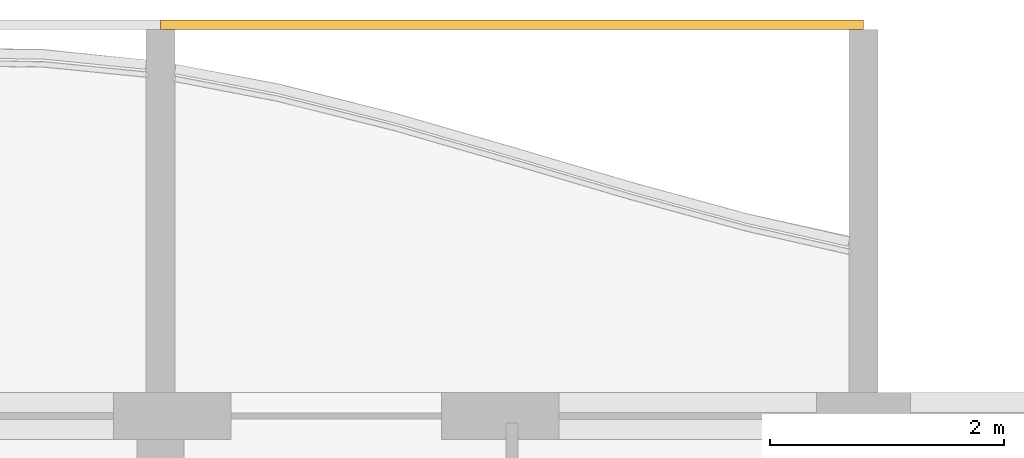
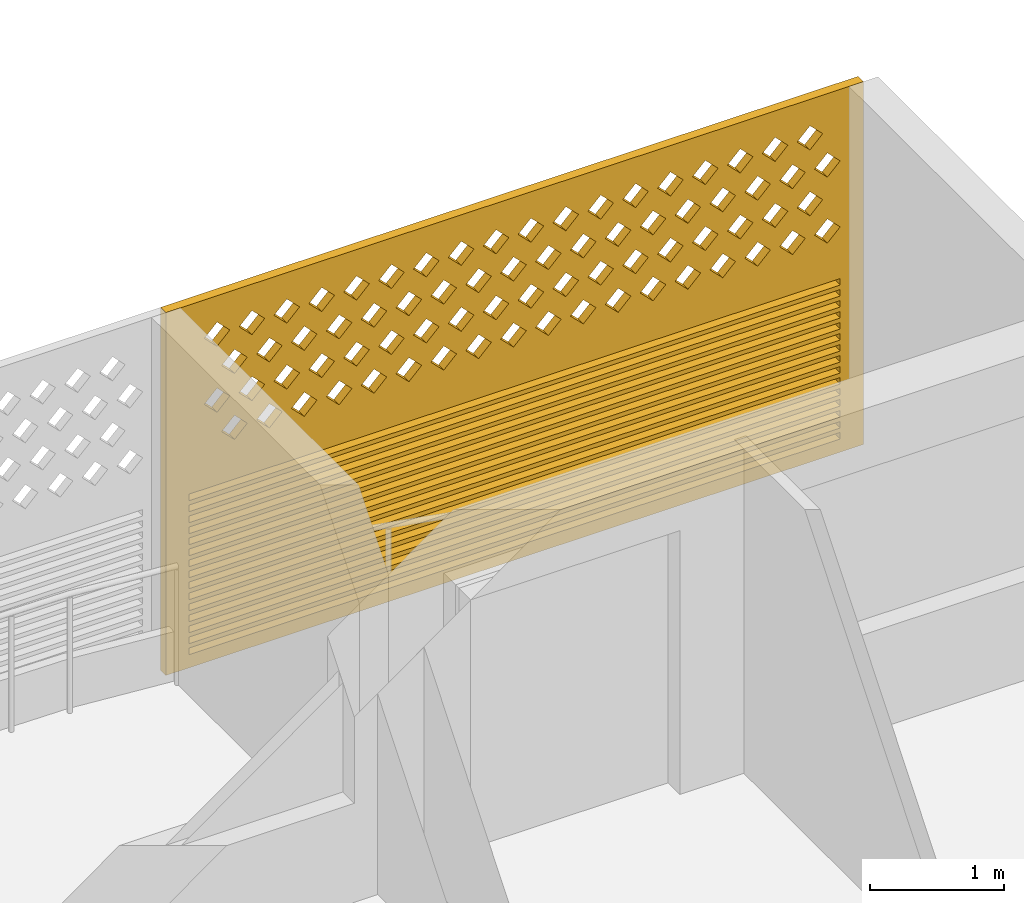
# One storey, part 39 of 39: 1 covering.
"""IFC4 building model written with IfcOpenShell, lengths in metres."""

from ifc_helpers import new_model, si_unit, direction, frame, origin, place, context, subcontext, project, spatial, polyline, outline, extrude, source, transform, mapped, material, material_profile, profile_set, type_object, element, save


model = new_model("IFC4")

# Units and contexts
model_context = context("Model", 3, precision=1e-05, world=origin(), true_north=direction((0.0, 1.0)))
body_context = subcontext(model_context, "Body", "Model", "MODEL_VIEW")
ifc_project = project(units=[si_unit("LENGTHUNIT", "METRE"), si_unit("AREAUNIT", "SQUARE_METRE"), si_unit("VOLUMEUNIT", "CUBIC_METRE"), si_unit("PLANEANGLEUNIT", "RADIAN"), si_unit("MASSUNIT", "GRAM", prefix="KILO")], contexts=[model_context])

# Site, building, storey
site_placement = place(None, origin())
site = spatial("IfcSite", under=ifc_project, at=site_placement, CompositionType="ELEMENT")
building_placement = place(site_placement, origin())
building = spatial("IfcBuilding", under=site, at=building_placement, Name="Poui Terraces", CompositionType="ELEMENT")
storey_placement = place(building_placement, frame((0.0, 0.0, 63.0)))
storey = spatial("IfcBuildingStorey", under=building, at=storey_placement, Name="L17", CompositionType="ELEMENT", Elevation=63.0)

# Covering
ifc_material = material(Name="Terracotta screen", Category="masonry")
ifc_material_profile = material_profile(ifc_material, outline(polyline([(-3.0, -1.64990234375), (3.0, -1.64990234375), (3.0, 1.64990234375), (-3.0, 1.64990234375), (-3.0, -1.64990234375)]), holes=[polyline([(-2.800048828125, 0.39990234375), (-2.68994140625, 0.2900390625), (-2.580078125, 0.39990234375), (-2.68994140625, 0.510009765625), (-2.800048828125, 0.39990234375)]), polyline([(-2.5, 0.39990234375), (-2.389892578125, 0.2900390625), (-2.280029296875, 0.39990234375), (-2.389892578125, 0.510009765625), (-2.5, 0.39990234375)]), polyline([(-2.199951171875, 0.39990234375), (-2.090087890625, 0.2900390625), (-1.97998046875, 0.39990234375), (-2.090087890625, 0.510009765625), (-2.199951171875, 0.39990234375)]), polyline([(-1.89990234375, 0.39990234375), (-1.7900390625, 0.2900390625), (-1.679931640625, 0.39990234375), (-1.7900390625, 0.510009765625), (-1.89990234375, 0.39990234375)]), polyline([(-1.60009765625, 0.39990234375), (-1.489990234375, 0.2900390625), (-1.3798828125, 0.39990234375), (-1.489990234375, 0.510009765625), (-1.60009765625, 0.39990234375)]), polyline([(-1.300048828125, 0.39990234375), (-1.18994140625, 0.2900390625), (-1.080078125, 0.39990234375), (-1.18994140625, 0.510009765625), (-1.300048828125, 0.39990234375)]), polyline([(-1.0, 0.39990234375), (-0.889892578125, 0.2900390625), (-0.780029296875, 0.39990234375), (-0.889892578125, 0.510009765625), (-1.0, 0.39990234375)]), polyline([(-0.699951171875, 0.39990234375), (-0.590087890625, 0.2900390625), (-0.47998046875, 0.39990234375), (-0.590087890625, 0.510009765625), (-0.699951171875, 0.39990234375)]), polyline([(-0.39990234375, 0.39990234375), (-0.2900390625, 0.2900390625), (-0.179931640625, 0.39990234375), (-0.2900390625, 0.510009765625), (-0.39990234375, 0.39990234375)]), polyline([(-0.10009765625, 0.39990234375), (0.010009765625, 0.2900390625), (0.1201171875, 0.39990234375), (0.010009765625, 0.510009765625), (-0.10009765625, 0.39990234375)]), polyline([(0.199951171875, 0.39990234375), (0.31005859375, 0.2900390625), (0.419921875, 0.39990234375), (0.31005859375, 0.510009765625), (0.199951171875, 0.39990234375)]), polyline([(0.5, 0.39990234375), (0.610107421875, 0.2900390625), (0.719970703125, 0.39990234375), (0.610107421875, 0.510009765625), (0.5, 0.39990234375)]), polyline([(0.800048828125, 0.39990234375), (0.909912109375, 0.2900390625), (1.02001953125, 0.39990234375), (0.909912109375, 0.510009765625), (0.800048828125, 0.39990234375)]), polyline([(1.10009765625, 0.39990234375), (1.2099609375, 0.2900390625), (1.320068359375, 0.39990234375), (1.2099609375, 0.510009765625), (1.10009765625, 0.39990234375)]), polyline([(1.39990234375, 0.39990234375), (1.510009765625, 0.2900390625), (1.6201171875, 0.39990234375), (1.510009765625, 0.510009765625), (1.39990234375, 0.39990234375)]), polyline([(1.699951171875, 0.39990234375), (1.81005859375, 0.2900390625), (1.919921875, 0.39990234375), (1.81005859375, 0.510009765625), (1.699951171875, 0.39990234375)]), polyline([(2.0, 0.39990234375), (2.110107421875, 0.2900390625), (2.219970703125, 0.39990234375), (2.110107421875, 0.510009765625), (2.0, 0.39990234375)]), polyline([(2.300048828125, 0.39990234375), (2.409912109375, 0.2900390625), (2.52001953125, 0.39990234375), (2.409912109375, 0.510009765625), (2.300048828125, 0.39990234375)]), polyline([(-2.64990234375, 0.699951171875), (-2.5400390625, 0.590087890625), (-2.429931640625, 0.699951171875), (-2.5400390625, 0.81005859375), (-2.64990234375, 0.699951171875)]), polyline([(-2.35009765625, 0.699951171875), (-2.239990234375, 0.590087890625), (-2.1298828125, 0.699951171875), (-2.239990234375, 0.81005859375), (-2.35009765625, 0.699951171875)]), polyline([(-2.050048828125, 0.699951171875), (-1.93994140625, 0.590087890625), (-1.830078125, 0.699951171875), (-1.93994140625, 0.81005859375), (-2.050048828125, 0.699951171875)]), polyline([(-1.75, 0.699951171875), (-1.639892578125, 0.590087890625), (-1.530029296875, 0.699951171875), (-1.639892578125, 0.81005859375), (-1.75, 0.699951171875)]), polyline([(-1.449951171875, 0.699951171875), (-1.340087890625, 0.590087890625), (-1.22998046875, 0.699951171875), (-1.340087890625, 0.81005859375), (-1.449951171875, 0.699951171875)]), polyline([(-1.14990234375, 0.699951171875), (-1.0400390625, 0.590087890625), (-0.929931640625, 0.699951171875), (-1.0400390625, 0.81005859375), (-1.14990234375, 0.699951171875)]), polyline([(-0.85009765625, 0.699951171875), (-0.739990234375, 0.590087890625), (-0.6298828125, 0.699951171875), (-0.739990234375, 0.81005859375), (-0.85009765625, 0.699951171875)]), polyline([(-0.550048828125, 0.699951171875), (-0.43994140625, 0.590087890625), (-0.330078125, 0.699951171875), (-0.43994140625, 0.81005859375), (-0.550048828125, 0.699951171875)]), polyline([(-0.25, 0.699951171875), (-0.139892578125, 0.590087890625), (-0.030029296875, 0.699951171875), (-0.139892578125, 0.81005859375), (-0.25, 0.699951171875)]), polyline([(0.050048828125, 0.699951171875), (0.159912109375, 0.590087890625), (0.27001953125, 0.699951171875), (0.159912109375, 0.81005859375), (0.050048828125, 0.699951171875)]), polyline([(0.35009765625, 0.699951171875), (0.4599609375, 0.590087890625), (0.570068359375, 0.699951171875), (0.4599609375, 0.81005859375), (0.35009765625, 0.699951171875)]), polyline([(0.64990234375, 0.699951171875), (0.760009765625, 0.590087890625), (0.8701171875, 0.699951171875), (0.760009765625, 0.81005859375), (0.64990234375, 0.699951171875)]), polyline([(0.949951171875, 0.699951171875), (1.06005859375, 0.590087890625), (1.169921875, 0.699951171875), (1.06005859375, 0.81005859375), (0.949951171875, 0.699951171875)]), polyline([(1.25, 0.699951171875), (1.360107421875, 0.590087890625), (1.469970703125, 0.699951171875), (1.360107421875, 0.81005859375), (1.25, 0.699951171875)]), polyline([(1.550048828125, 0.699951171875), (1.659912109375, 0.590087890625), (1.77001953125, 0.699951171875), (1.659912109375, 0.81005859375), (1.550048828125, 0.699951171875)]), polyline([(1.85009765625, 0.699951171875), (1.9599609375, 0.590087890625), (2.070068359375, 0.699951171875), (1.9599609375, 0.81005859375), (1.85009765625, 0.699951171875)]), polyline([(2.14990234375, 0.699951171875), (2.260009765625, 0.590087890625), (2.3701171875, 0.699951171875), (2.260009765625, 0.81005859375), (2.14990234375, 0.699951171875)]), polyline([(2.449951171875, 0.699951171875), (2.56005859375, 0.590087890625), (2.669921875, 0.699951171875), (2.56005859375, 0.81005859375), (2.449951171875, 0.699951171875)]), polyline([(-2.800048828125, 1.0), (-2.68994140625, 0.889892578125), (-2.580078125, 1.0), (-2.68994140625, 1.110107421875), (-2.800048828125, 1.0)]), polyline([(-2.5, 1.0), (-2.389892578125, 0.889892578125), (-2.280029296875, 1.0), (-2.389892578125, 1.110107421875), (-2.5, 1.0)]), polyline([(-2.199951171875, 1.0), (-2.090087890625, 0.889892578125), (-1.97998046875, 1.0), (-2.090087890625, 1.110107421875), (-2.199951171875, 1.0)]), polyline([(-1.89990234375, 1.0), (-1.7900390625, 0.889892578125), (-1.679931640625, 1.0), (-1.7900390625, 1.110107421875), (-1.89990234375, 1.0)]), polyline([(-1.60009765625, 1.0), (-1.489990234375, 0.889892578125), (-1.3798828125, 1.0), (-1.489990234375, 1.110107421875), (-1.60009765625, 1.0)]), polyline([(-1.300048828125, 1.0), (-1.18994140625, 0.889892578125), (-1.080078125, 1.0), (-1.18994140625, 1.110107421875), (-1.300048828125, 1.0)]), polyline([(-1.0, 1.0), (-0.889892578125, 0.889892578125), (-0.780029296875, 1.0), (-0.889892578125, 1.110107421875), (-1.0, 1.0)]), polyline([(-0.699951171875, 1.0), (-0.590087890625, 0.889892578125), (-0.47998046875, 1.0), (-0.590087890625, 1.110107421875), (-0.699951171875, 1.0)]), polyline([(-0.39990234375, 1.0), (-0.2900390625, 0.889892578125), (-0.179931640625, 1.0), (-0.2900390625, 1.110107421875), (-0.39990234375, 1.0)]), polyline([(-0.10009765625, 1.0), (0.010009765625, 0.889892578125), (0.1201171875, 1.0), (0.010009765625, 1.110107421875), (-0.10009765625, 1.0)]), polyline([(0.199951171875, 1.0), (0.31005859375, 0.889892578125), (0.419921875, 1.0), (0.31005859375, 1.110107421875), (0.199951171875, 1.0)]), polyline([(0.5, 1.0), (0.610107421875, 0.889892578125), (0.719970703125, 1.0), (0.610107421875, 1.110107421875), (0.5, 1.0)]), polyline([(0.800048828125, 1.0), (0.909912109375, 0.889892578125), (1.02001953125, 1.0), (0.909912109375, 1.110107421875), (0.800048828125, 1.0)]), polyline([(1.10009765625, 1.0), (1.2099609375, 0.889892578125), (1.320068359375, 1.0), (1.2099609375, 1.110107421875), (1.10009765625, 1.0)]), polyline([(1.39990234375, 1.0), (1.510009765625, 0.889892578125), (1.6201171875, 1.0), (1.510009765625, 1.110107421875), (1.39990234375, 1.0)]), polyline([(1.699951171875, 1.0), (1.81005859375, 0.889892578125), (1.919921875, 1.0), (1.81005859375, 1.110107421875), (1.699951171875, 1.0)]), polyline([(2.0, 1.0), (2.110107421875, 0.889892578125), (2.219970703125, 1.0), (2.110107421875, 1.110107421875), (2.0, 1.0)]), polyline([(2.300048828125, 1.0), (2.409912109375, 0.889892578125), (2.52001953125, 1.0), (2.409912109375, 1.110107421875), (2.300048828125, 1.0)]), polyline([(-2.64990234375, 1.300048828125), (-2.5400390625, 1.18994140625), (-2.429931640625, 1.300048828125), (-2.5400390625, 1.409912109375), (-2.64990234375, 1.300048828125)]), polyline([(-2.35009765625, 1.300048828125), (-2.239990234375, 1.18994140625), (-2.1298828125, 1.300048828125), (-2.239990234375, 1.409912109375), (-2.35009765625, 1.300048828125)]), polyline([(-2.050048828125, 1.300048828125), (-1.93994140625, 1.18994140625), (-1.830078125, 1.300048828125), (-1.93994140625, 1.409912109375), (-2.050048828125, 1.300048828125)]), polyline([(-1.75, 1.300048828125), (-1.639892578125, 1.18994140625), (-1.530029296875, 1.300048828125), (-1.639892578125, 1.409912109375), (-1.75, 1.300048828125)]), polyline([(-1.449951171875, 1.300048828125), (-1.340087890625, 1.18994140625), (-1.22998046875, 1.300048828125), (-1.340087890625, 1.409912109375), (-1.449951171875, 1.300048828125)]), polyline([(-1.14990234375, 1.300048828125), (-1.0400390625, 1.18994140625), (-0.929931640625, 1.300048828125), (-1.0400390625, 1.409912109375), (-1.14990234375, 1.300048828125)]), polyline([(-0.85009765625, 1.300048828125), (-0.739990234375, 1.18994140625), (-0.6298828125, 1.300048828125), (-0.739990234375, 1.409912109375), (-0.85009765625, 1.300048828125)]), polyline([(-0.550048828125, 1.300048828125), (-0.43994140625, 1.18994140625), (-0.330078125, 1.300048828125), (-0.43994140625, 1.409912109375), (-0.550048828125, 1.300048828125)]), polyline([(-0.25, 1.300048828125), (-0.139892578125, 1.18994140625), (-0.030029296875, 1.300048828125), (-0.139892578125, 1.409912109375), (-0.25, 1.300048828125)]), polyline([(0.050048828125, 1.300048828125), (0.159912109375, 1.18994140625), (0.27001953125, 1.300048828125), (0.159912109375, 1.409912109375), (0.050048828125, 1.300048828125)]), polyline([(0.35009765625, 1.300048828125), (0.4599609375, 1.18994140625), (0.570068359375, 1.300048828125), (0.4599609375, 1.409912109375), (0.35009765625, 1.300048828125)]), polyline([(0.64990234375, 1.300048828125), (0.760009765625, 1.18994140625), (0.8701171875, 1.300048828125), (0.760009765625, 1.409912109375), (0.64990234375, 1.300048828125)]), polyline([(0.949951171875, 1.300048828125), (1.06005859375, 1.18994140625), (1.169921875, 1.300048828125), (1.06005859375, 1.409912109375), (0.949951171875, 1.300048828125)]), polyline([(1.25, 1.300048828125), (1.360107421875, 1.18994140625), (1.469970703125, 1.300048828125), (1.360107421875, 1.409912109375), (1.25, 1.300048828125)]), polyline([(1.550048828125, 1.300048828125), (1.659912109375, 1.18994140625), (1.77001953125, 1.300048828125), (1.659912109375, 1.409912109375), (1.550048828125, 1.300048828125)]), polyline([(1.85009765625, 1.300048828125), (1.9599609375, 1.18994140625), (2.070068359375, 1.300048828125), (1.9599609375, 1.409912109375), (1.85009765625, 1.300048828125)]), polyline([(2.14990234375, 1.300048828125), (2.260009765625, 1.18994140625), (2.3701171875, 1.300048828125), (2.260009765625, 1.409912109375), (2.14990234375, 1.300048828125)]), polyline([(2.449951171875, 1.300048828125), (2.56005859375, 1.18994140625), (2.669921875, 1.300048828125), (2.56005859375, 1.409912109375), (2.449951171875, 1.300048828125)]), polyline([(-2.800048828125, -1.530029296875), (2.800048828125, -1.530029296875), (2.800048828125, -1.469970703125), (-2.800048828125, -1.469970703125), (-2.800048828125, -1.530029296875)]), polyline([(-2.800048828125, -1.429931640625), (2.800048828125, -1.429931640625), (2.800048828125, -1.3701171875), (-2.800048828125, -1.3701171875), (-2.800048828125, -1.429931640625)]), polyline([(-2.800048828125, -1.330078125), (2.800048828125, -1.330078125), (2.800048828125, -1.27001953125), (-2.800048828125, -1.27001953125), (-2.800048828125, -1.330078125)]), polyline([(-2.800048828125, -1.22998046875), (2.800048828125, -1.22998046875), (2.800048828125, -1.169921875), (-2.800048828125, -1.169921875), (-2.800048828125, -1.22998046875)]), polyline([(-2.800048828125, -1.1298828125), (2.800048828125, -1.1298828125), (2.800048828125, -1.070068359375), (-2.800048828125, -1.070068359375), (-2.800048828125, -1.1298828125)]), polyline([(-2.800048828125, -1.030029296875), (2.800048828125, -1.030029296875), (2.800048828125, -0.969970703125), (-2.800048828125, -0.969970703125), (-2.800048828125, -1.030029296875)]), polyline([(-2.800048828125, -0.929931640625), (2.800048828125, -0.929931640625), (2.800048828125, -0.8701171875), (-2.800048828125, -0.8701171875), (-2.800048828125, -0.929931640625)]), polyline([(-2.800048828125, -0.830078125), (2.800048828125, -0.830078125), (2.800048828125, -0.77001953125), (-2.800048828125, -0.77001953125), (-2.800048828125, -0.830078125)]), polyline([(-2.800048828125, -0.72998046875), (2.800048828125, -0.72998046875), (2.800048828125, -0.669921875), (-2.800048828125, -0.669921875), (-2.800048828125, -0.72998046875)]), polyline([(-2.800048828125, -0.6298828125), (2.800048828125, -0.6298828125), (2.800048828125, -0.570068359375), (-2.800048828125, -0.570068359375), (-2.800048828125, -0.6298828125)]), polyline([(-2.800048828125, -0.530029296875), (2.800048828125, -0.530029296875), (2.800048828125, -0.469970703125), (-2.800048828125, -0.469970703125), (-2.800048828125, -0.530029296875)]), polyline([(-2.800048828125, -0.429931640625), (2.800048828125, -0.429931640625), (2.800048828125, -0.3701171875), (-2.800048828125, -0.3701171875), (-2.800048828125, -0.429931640625)]), polyline([(-2.800048828125, -0.330078125), (2.800048828125, -0.330078125), (2.800048828125, -0.27001953125), (-2.800048828125, -0.27001953125), (-2.800048828125, -0.330078125)]), polyline([(-2.800048828125, -0.22998046875), (2.800048828125, -0.22998046875), (2.800048828125, -0.169921875), (-2.800048828125, -0.169921875), (-2.800048828125, -0.22998046875)]), polyline([(-2.800048828125, -0.1298828125), (2.800048828125, -0.1298828125), (2.800048828125, -0.070068359375), (-2.800048828125, -0.070068359375), (-2.800048828125, -0.1298828125)])]), Name="TERRACOTTA SCREEN AND JALOUSIE LOUVRE 6000X3300")
ifc_profile_set = profile_set([ifc_material_profile], Name="Terracotta screen")
covering_type = type_object("IfcCoveringType", Name="TERRACOTTA SCREEN AND JALOUSIE LOUVRE 6000X3300", PredefinedType="CLADDING", material=ifc_profile_set)
shared_shape = source(origin(), body_context, "Body", "SweptSolid", [
    extrude(outline(polyline([(-3.0, -1.64990234375), (3.0, -1.64990234375), (3.0, 1.64990234375), (-3.0, 1.64990234375), (-3.0, -1.64990234375)]), holes=[polyline([(-2.800048828125, 0.39990234375), (-2.68994140625, 0.2900390625), (-2.580078125, 0.39990234375), (-2.68994140625, 0.510009765625), (-2.800048828125, 0.39990234375)]), polyline([(-2.5, 0.39990234375), (-2.389892578125, 0.2900390625), (-2.280029296875, 0.39990234375), (-2.389892578125, 0.510009765625), (-2.5, 0.39990234375)]), polyline([(-2.199951171875, 0.39990234375), (-2.090087890625, 0.2900390625), (-1.97998046875, 0.39990234375), (-2.090087890625, 0.510009765625), (-2.199951171875, 0.39990234375)]), polyline([(-1.89990234375, 0.39990234375), (-1.7900390625, 0.2900390625), (-1.679931640625, 0.39990234375), (-1.7900390625, 0.510009765625), (-1.89990234375, 0.39990234375)]), polyline([(-1.60009765625, 0.39990234375), (-1.489990234375, 0.2900390625), (-1.3798828125, 0.39990234375), (-1.489990234375, 0.510009765625), (-1.60009765625, 0.39990234375)]), polyline([(-1.300048828125, 0.39990234375), (-1.18994140625, 0.2900390625), (-1.080078125, 0.39990234375), (-1.18994140625, 0.510009765625), (-1.300048828125, 0.39990234375)]), polyline([(-1.0, 0.39990234375), (-0.889892578125, 0.2900390625), (-0.780029296875, 0.39990234375), (-0.889892578125, 0.510009765625), (-1.0, 0.39990234375)]), polyline([(-0.699951171875, 0.39990234375), (-0.590087890625, 0.2900390625), (-0.47998046875, 0.39990234375), (-0.590087890625, 0.510009765625), (-0.699951171875, 0.39990234375)]), polyline([(-0.39990234375, 0.39990234375), (-0.2900390625, 0.2900390625), (-0.179931640625, 0.39990234375), (-0.2900390625, 0.510009765625), (-0.39990234375, 0.39990234375)]), polyline([(-0.10009765625, 0.39990234375), (0.010009765625, 0.2900390625), (0.1201171875, 0.39990234375), (0.010009765625, 0.510009765625), (-0.10009765625, 0.39990234375)]), polyline([(0.199951171875, 0.39990234375), (0.31005859375, 0.2900390625), (0.419921875, 0.39990234375), (0.31005859375, 0.510009765625), (0.199951171875, 0.39990234375)]), polyline([(0.5, 0.39990234375), (0.610107421875, 0.2900390625), (0.719970703125, 0.39990234375), (0.610107421875, 0.510009765625), (0.5, 0.39990234375)]), polyline([(0.800048828125, 0.39990234375), (0.909912109375, 0.2900390625), (1.02001953125, 0.39990234375), (0.909912109375, 0.510009765625), (0.800048828125, 0.39990234375)]), polyline([(1.10009765625, 0.39990234375), (1.2099609375, 0.2900390625), (1.320068359375, 0.39990234375), (1.2099609375, 0.510009765625), (1.10009765625, 0.39990234375)]), polyline([(1.39990234375, 0.39990234375), (1.510009765625, 0.2900390625), (1.6201171875, 0.39990234375), (1.510009765625, 0.510009765625), (1.39990234375, 0.39990234375)]), polyline([(1.699951171875, 0.39990234375), (1.81005859375, 0.2900390625), (1.919921875, 0.39990234375), (1.81005859375, 0.510009765625), (1.699951171875, 0.39990234375)]), polyline([(2.0, 0.39990234375), (2.110107421875, 0.2900390625), (2.219970703125, 0.39990234375), (2.110107421875, 0.510009765625), (2.0, 0.39990234375)]), polyline([(2.300048828125, 0.39990234375), (2.409912109375, 0.2900390625), (2.52001953125, 0.39990234375), (2.409912109375, 0.510009765625), (2.300048828125, 0.39990234375)]), polyline([(-2.64990234375, 0.699951171875), (-2.5400390625, 0.590087890625), (-2.429931640625, 0.699951171875), (-2.5400390625, 0.81005859375), (-2.64990234375, 0.699951171875)]), polyline([(-2.35009765625, 0.699951171875), (-2.239990234375, 0.590087890625), (-2.1298828125, 0.699951171875), (-2.239990234375, 0.81005859375), (-2.35009765625, 0.699951171875)]), polyline([(-2.050048828125, 0.699951171875), (-1.93994140625, 0.590087890625), (-1.830078125, 0.699951171875), (-1.93994140625, 0.81005859375), (-2.050048828125, 0.699951171875)]), polyline([(-1.75, 0.699951171875), (-1.639892578125, 0.590087890625), (-1.530029296875, 0.699951171875), (-1.639892578125, 0.81005859375), (-1.75, 0.699951171875)]), polyline([(-1.449951171875, 0.699951171875), (-1.340087890625, 0.590087890625), (-1.22998046875, 0.699951171875), (-1.340087890625, 0.81005859375), (-1.449951171875, 0.699951171875)]), polyline([(-1.14990234375, 0.699951171875), (-1.0400390625, 0.590087890625), (-0.929931640625, 0.699951171875), (-1.0400390625, 0.81005859375), (-1.14990234375, 0.699951171875)]), polyline([(-0.85009765625, 0.699951171875), (-0.739990234375, 0.590087890625), (-0.6298828125, 0.699951171875), (-0.739990234375, 0.81005859375), (-0.85009765625, 0.699951171875)]), polyline([(-0.550048828125, 0.699951171875), (-0.43994140625, 0.590087890625), (-0.330078125, 0.699951171875), (-0.43994140625, 0.81005859375), (-0.550048828125, 0.699951171875)]), polyline([(-0.25, 0.699951171875), (-0.139892578125, 0.590087890625), (-0.030029296875, 0.699951171875), (-0.139892578125, 0.81005859375), (-0.25, 0.699951171875)]), polyline([(0.050048828125, 0.699951171875), (0.159912109375, 0.590087890625), (0.27001953125, 0.699951171875), (0.159912109375, 0.81005859375), (0.050048828125, 0.699951171875)]), polyline([(0.35009765625, 0.699951171875), (0.4599609375, 0.590087890625), (0.570068359375, 0.699951171875), (0.4599609375, 0.81005859375), (0.35009765625, 0.699951171875)]), polyline([(0.64990234375, 0.699951171875), (0.760009765625, 0.590087890625), (0.8701171875, 0.699951171875), (0.760009765625, 0.81005859375), (0.64990234375, 0.699951171875)]), polyline([(0.949951171875, 0.699951171875), (1.06005859375, 0.590087890625), (1.169921875, 0.699951171875), (1.06005859375, 0.81005859375), (0.949951171875, 0.699951171875)]), polyline([(1.25, 0.699951171875), (1.360107421875, 0.590087890625), (1.469970703125, 0.699951171875), (1.360107421875, 0.81005859375), (1.25, 0.699951171875)]), polyline([(1.550048828125, 0.699951171875), (1.659912109375, 0.590087890625), (1.77001953125, 0.699951171875), (1.659912109375, 0.81005859375), (1.550048828125, 0.699951171875)]), polyline([(1.85009765625, 0.699951171875), (1.9599609375, 0.590087890625), (2.070068359375, 0.699951171875), (1.9599609375, 0.81005859375), (1.85009765625, 0.699951171875)]), polyline([(2.14990234375, 0.699951171875), (2.260009765625, 0.590087890625), (2.3701171875, 0.699951171875), (2.260009765625, 0.81005859375), (2.14990234375, 0.699951171875)]), polyline([(2.449951171875, 0.699951171875), (2.56005859375, 0.590087890625), (2.669921875, 0.699951171875), (2.56005859375, 0.81005859375), (2.449951171875, 0.699951171875)]), polyline([(-2.800048828125, 1.0), (-2.68994140625, 0.889892578125), (-2.580078125, 1.0), (-2.68994140625, 1.110107421875), (-2.800048828125, 1.0)]), polyline([(-2.5, 1.0), (-2.389892578125, 0.889892578125), (-2.280029296875, 1.0), (-2.389892578125, 1.110107421875), (-2.5, 1.0)]), polyline([(-2.199951171875, 1.0), (-2.090087890625, 0.889892578125), (-1.97998046875, 1.0), (-2.090087890625, 1.110107421875), (-2.199951171875, 1.0)]), polyline([(-1.89990234375, 1.0), (-1.7900390625, 0.889892578125), (-1.679931640625, 1.0), (-1.7900390625, 1.110107421875), (-1.89990234375, 1.0)]), polyline([(-1.60009765625, 1.0), (-1.489990234375, 0.889892578125), (-1.3798828125, 1.0), (-1.489990234375, 1.110107421875), (-1.60009765625, 1.0)]), polyline([(-1.300048828125, 1.0), (-1.18994140625, 0.889892578125), (-1.080078125, 1.0), (-1.18994140625, 1.110107421875), (-1.300048828125, 1.0)]), polyline([(-1.0, 1.0), (-0.889892578125, 0.889892578125), (-0.780029296875, 1.0), (-0.889892578125, 1.110107421875), (-1.0, 1.0)]), polyline([(-0.699951171875, 1.0), (-0.590087890625, 0.889892578125), (-0.47998046875, 1.0), (-0.590087890625, 1.110107421875), (-0.699951171875, 1.0)]), polyline([(-0.39990234375, 1.0), (-0.2900390625, 0.889892578125), (-0.179931640625, 1.0), (-0.2900390625, 1.110107421875), (-0.39990234375, 1.0)]), polyline([(-0.10009765625, 1.0), (0.010009765625, 0.889892578125), (0.1201171875, 1.0), (0.010009765625, 1.110107421875), (-0.10009765625, 1.0)]), polyline([(0.199951171875, 1.0), (0.31005859375, 0.889892578125), (0.419921875, 1.0), (0.31005859375, 1.110107421875), (0.199951171875, 1.0)]), polyline([(0.5, 1.0), (0.610107421875, 0.889892578125), (0.719970703125, 1.0), (0.610107421875, 1.110107421875), (0.5, 1.0)]), polyline([(0.800048828125, 1.0), (0.909912109375, 0.889892578125), (1.02001953125, 1.0), (0.909912109375, 1.110107421875), (0.800048828125, 1.0)]), polyline([(1.10009765625, 1.0), (1.2099609375, 0.889892578125), (1.320068359375, 1.0), (1.2099609375, 1.110107421875), (1.10009765625, 1.0)]), polyline([(1.39990234375, 1.0), (1.510009765625, 0.889892578125), (1.6201171875, 1.0), (1.510009765625, 1.110107421875), (1.39990234375, 1.0)]), polyline([(1.699951171875, 1.0), (1.81005859375, 0.889892578125), (1.919921875, 1.0), (1.81005859375, 1.110107421875), (1.699951171875, 1.0)]), polyline([(2.0, 1.0), (2.110107421875, 0.889892578125), (2.219970703125, 1.0), (2.110107421875, 1.110107421875), (2.0, 1.0)]), polyline([(2.300048828125, 1.0), (2.409912109375, 0.889892578125), (2.52001953125, 1.0), (2.409912109375, 1.110107421875), (2.300048828125, 1.0)]), polyline([(-2.64990234375, 1.300048828125), (-2.5400390625, 1.18994140625), (-2.429931640625, 1.300048828125), (-2.5400390625, 1.409912109375), (-2.64990234375, 1.300048828125)]), polyline([(-2.35009765625, 1.300048828125), (-2.239990234375, 1.18994140625), (-2.1298828125, 1.300048828125), (-2.239990234375, 1.409912109375), (-2.35009765625, 1.300048828125)]), polyline([(-2.050048828125, 1.300048828125), (-1.93994140625, 1.18994140625), (-1.830078125, 1.300048828125), (-1.93994140625, 1.409912109375), (-2.050048828125, 1.300048828125)]), polyline([(-1.75, 1.300048828125), (-1.639892578125, 1.18994140625), (-1.530029296875, 1.300048828125), (-1.639892578125, 1.409912109375), (-1.75, 1.300048828125)]), polyline([(-1.449951171875, 1.300048828125), (-1.340087890625, 1.18994140625), (-1.22998046875, 1.300048828125), (-1.340087890625, 1.409912109375), (-1.449951171875, 1.300048828125)]), polyline([(-1.14990234375, 1.300048828125), (-1.0400390625, 1.18994140625), (-0.929931640625, 1.300048828125), (-1.0400390625, 1.409912109375), (-1.14990234375, 1.300048828125)]), polyline([(-0.85009765625, 1.300048828125), (-0.739990234375, 1.18994140625), (-0.6298828125, 1.300048828125), (-0.739990234375, 1.409912109375), (-0.85009765625, 1.300048828125)]), polyline([(-0.550048828125, 1.300048828125), (-0.43994140625, 1.18994140625), (-0.330078125, 1.300048828125), (-0.43994140625, 1.409912109375), (-0.550048828125, 1.300048828125)]), polyline([(-0.25, 1.300048828125), (-0.139892578125, 1.18994140625), (-0.030029296875, 1.300048828125), (-0.139892578125, 1.409912109375), (-0.25, 1.300048828125)]), polyline([(0.050048828125, 1.300048828125), (0.159912109375, 1.18994140625), (0.27001953125, 1.300048828125), (0.159912109375, 1.409912109375), (0.050048828125, 1.300048828125)]), polyline([(0.35009765625, 1.300048828125), (0.4599609375, 1.18994140625), (0.570068359375, 1.300048828125), (0.4599609375, 1.409912109375), (0.35009765625, 1.300048828125)]), polyline([(0.64990234375, 1.300048828125), (0.760009765625, 1.18994140625), (0.8701171875, 1.300048828125), (0.760009765625, 1.409912109375), (0.64990234375, 1.300048828125)]), polyline([(0.949951171875, 1.300048828125), (1.06005859375, 1.18994140625), (1.169921875, 1.300048828125), (1.06005859375, 1.409912109375), (0.949951171875, 1.300048828125)]), polyline([(1.25, 1.300048828125), (1.360107421875, 1.18994140625), (1.469970703125, 1.300048828125), (1.360107421875, 1.409912109375), (1.25, 1.300048828125)]), polyline([(1.550048828125, 1.300048828125), (1.659912109375, 1.18994140625), (1.77001953125, 1.300048828125), (1.659912109375, 1.409912109375), (1.550048828125, 1.300048828125)]), polyline([(1.85009765625, 1.300048828125), (1.9599609375, 1.18994140625), (2.070068359375, 1.300048828125), (1.9599609375, 1.409912109375), (1.85009765625, 1.300048828125)]), polyline([(2.14990234375, 1.300048828125), (2.260009765625, 1.18994140625), (2.3701171875, 1.300048828125), (2.260009765625, 1.409912109375), (2.14990234375, 1.300048828125)]), polyline([(2.449951171875, 1.300048828125), (2.56005859375, 1.18994140625), (2.669921875, 1.300048828125), (2.56005859375, 1.409912109375), (2.449951171875, 1.300048828125)]), polyline([(-2.800048828125, -1.530029296875), (2.800048828125, -1.530029296875), (2.800048828125, -1.469970703125), (-2.800048828125, -1.469970703125), (-2.800048828125, -1.530029296875)]), polyline([(-2.800048828125, -1.429931640625), (2.800048828125, -1.429931640625), (2.800048828125, -1.3701171875), (-2.800048828125, -1.3701171875), (-2.800048828125, -1.429931640625)]), polyline([(-2.800048828125, -1.330078125), (2.800048828125, -1.330078125), (2.800048828125, -1.27001953125), (-2.800048828125, -1.27001953125), (-2.800048828125, -1.330078125)]), polyline([(-2.800048828125, -1.22998046875), (2.800048828125, -1.22998046875), (2.800048828125, -1.169921875), (-2.800048828125, -1.169921875), (-2.800048828125, -1.22998046875)]), polyline([(-2.800048828125, -1.1298828125), (2.800048828125, -1.1298828125), (2.800048828125, -1.070068359375), (-2.800048828125, -1.070068359375), (-2.800048828125, -1.1298828125)]), polyline([(-2.800048828125, -1.030029296875), (2.800048828125, -1.030029296875), (2.800048828125, -0.969970703125), (-2.800048828125, -0.969970703125), (-2.800048828125, -1.030029296875)]), polyline([(-2.800048828125, -0.929931640625), (2.800048828125, -0.929931640625), (2.800048828125, -0.8701171875), (-2.800048828125, -0.8701171875), (-2.800048828125, -0.929931640625)]), polyline([(-2.800048828125, -0.830078125), (2.800048828125, -0.830078125), (2.800048828125, -0.77001953125), (-2.800048828125, -0.77001953125), (-2.800048828125, -0.830078125)]), polyline([(-2.800048828125, -0.72998046875), (2.800048828125, -0.72998046875), (2.800048828125, -0.669921875), (-2.800048828125, -0.669921875), (-2.800048828125, -0.72998046875)]), polyline([(-2.800048828125, -0.6298828125), (2.800048828125, -0.6298828125), (2.800048828125, -0.570068359375), (-2.800048828125, -0.570068359375), (-2.800048828125, -0.6298828125)]), polyline([(-2.800048828125, -0.530029296875), (2.800048828125, -0.530029296875), (2.800048828125, -0.469970703125), (-2.800048828125, -0.469970703125), (-2.800048828125, -0.530029296875)]), polyline([(-2.800048828125, -0.429931640625), (2.800048828125, -0.429931640625), (2.800048828125, -0.3701171875), (-2.800048828125, -0.3701171875), (-2.800048828125, -0.429931640625)]), polyline([(-2.800048828125, -0.330078125), (2.800048828125, -0.330078125), (2.800048828125, -0.27001953125), (-2.800048828125, -0.27001953125), (-2.800048828125, -0.330078125)]), polyline([(-2.800048828125, -0.22998046875), (2.800048828125, -0.22998046875), (2.800048828125, -0.169921875), (-2.800048828125, -0.169921875), (-2.800048828125, -0.22998046875)]), polyline([(-2.800048828125, -0.1298828125), (2.800048828125, -0.1298828125), (2.800048828125, -0.070068359375), (-2.800048828125, -0.070068359375), (-2.800048828125, -0.1298828125)])]), origin(), (0.0, 0.0, 1.0), 0.079833984375),
])
covering_placement = place(storey_placement, frame((81.0, 48.10009765625, 1.449951171875), z_axis=(0.0, 1.0, 0.0), x_axis=(-1.0, 0.0, 0.0)))
element("IfcCovering", 1, at=covering_placement, inside=storey, type_object=covering_type, Name="SOLAR SCREEN AND JALOUSIE LOUVRE", PredefinedType="CLADDING", context=body_context, shape_type="MappedRepresentation", body=[
    mapped(shared_shape, transform((0.0, 0.0, 0.0))),
])

save(model, "model.ifc")
